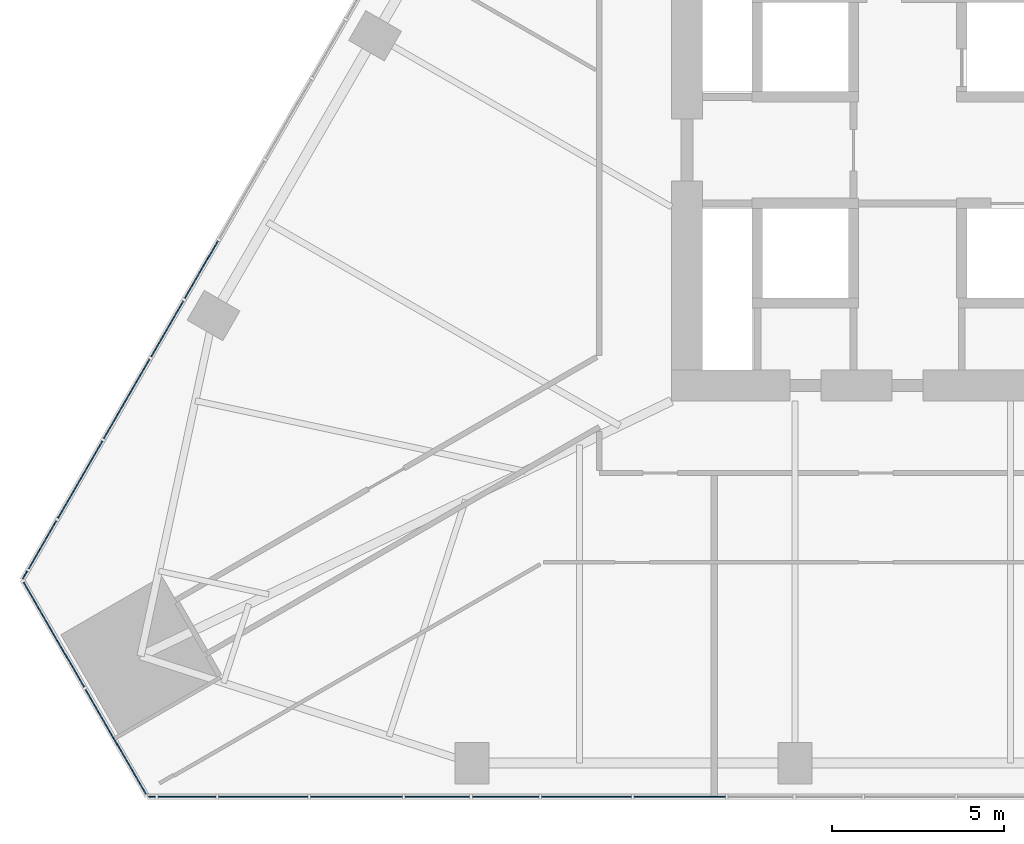
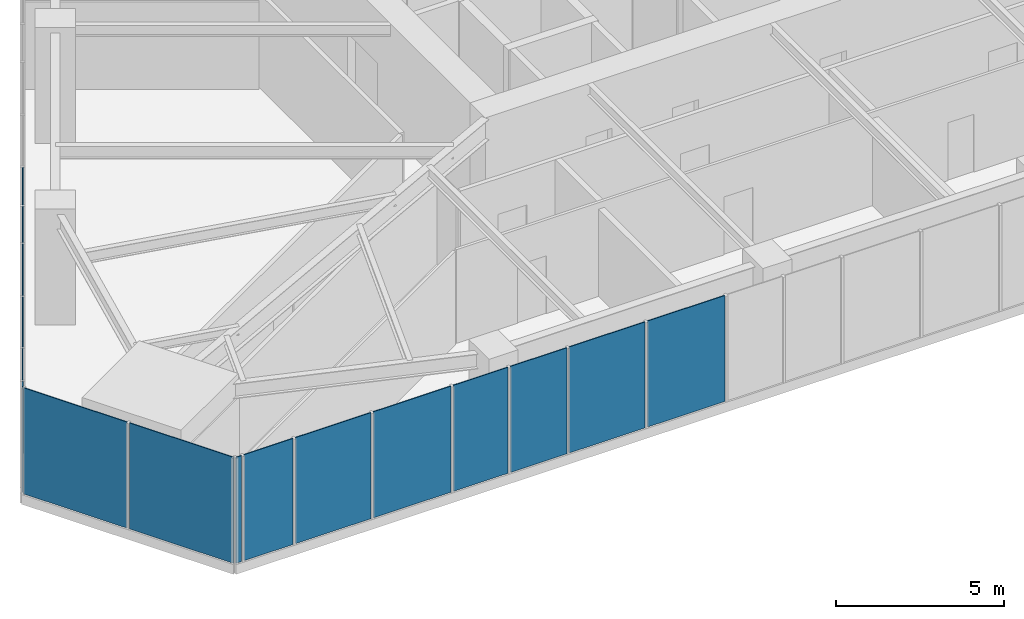
# One storey, part 11 of 21: 16 plates, 3 elements without a shape of their own.
"""IFC4 building model written with IfcOpenShell, lengths in metres."""

from ifc_helpers import new_model, si_unit, direction, frame, origin, place, context, subcontext, project, spatial, polyline, outline, extrude, material, layer, layer_set, type_object, element, aggregate, save


model = new_model("IFC4")

# Units and contexts
model_context = context("Model", 3, precision=1e-05, world=origin(), true_north=direction((0.0, 1.0)))
body_context = subcontext(model_context, "Body", "Model", "MODEL_VIEW")
ifc_project = project(units=[si_unit("LENGTHUNIT", "METRE"), si_unit("AREAUNIT", "SQUARE_METRE"), si_unit("VOLUMEUNIT", "CUBIC_METRE"), si_unit("PLANEANGLEUNIT", "RADIAN"), si_unit("MASSUNIT", "GRAM", prefix="KILO")], contexts=[model_context])

# Site, building, storey
site_placement = place(None, origin())
site = spatial("IfcSite", under=ifc_project, at=site_placement, CompositionType="ELEMENT")
building_placement = place(site_placement, origin())
building = spatial("IfcBuilding", under=site, at=building_placement, Name="Firuza Gate Tower and Library", CompositionType="ELEMENT")
storey_placement = place(building_placement, frame((0.0, 0.0, 94.60009765625)))
storey = spatial("IfcBuildingStorey", under=building, at=storey_placement, Name="L21", CompositionType="ELEMENT", Elevation=94.60009765625)

# Curtain wall, plates
ifc_material_1 = material(Name="Aluminium 6063-T6", Category="aluminium")
ifc_layer_1 = layer(ifc_material_1, 0.14990234375)
ifc_layer_set_1 = layer_set([ifc_layer_1], Name="Corner curtain wall, chamfers")
curtain_wall_type_1 = type_object("IfcCurtainWallType", Name="Corner curtain wall, chamfers", PredefinedType="NOTDEFINED", material=ifc_layer_set_1)
placement = place(storey_placement, origin())
curtain_wall_1 = element("IfcCurtainWall", 1, at=placement, inside=storey, type_object=curtain_wall_type_1, Name="CW4 L21 SW corner", PredefinedType="NOTDEFINED")
ifc_material_2 = material(Name="Fritted glass", Category="glass")
ifc_layer_2 = layer(ifc_material_2, 0.030029296875)
ifc_layer_set_2 = layer_set([ifc_layer_2], Name="Fritted glass unit, corners")
plate_type_1 = type_object("IfcPlateType", Name="Fritted glass unit, corners", PredefinedType="CURTAIN_PANEL", material=ifc_layer_set_2)
plate_1_placement = place(storey_placement, frame((43.1103515625, 60.749267578125, 0.14990234375), z_axis=(-0.866046390552, -0.49996364809, 0.0), x_axis=(0.49996364809, -0.866046390552, 0.0)))
plate_1 = element("IfcPlate", 2, at=plate_1_placement, type_object=plate_type_1, Name="Glass unit", PredefinedType="CURTAIN_PANEL", context=body_context, shape_type="SweptSolid", body=[
    extrude(outline(polyline([(0.0, 0.0), (3.563247342942594, 0.0), (3.563247342942594, 3.85009765625), (0.0, 3.85009765625), (0.0, 0.0)])), origin(), (0.0, 0.0, -1.0), 0.030029296875),
])
plate_2_placement = place(storey_placement, frame((44.931884765625, 57.593994140625, 0.14990234375), z_axis=(-0.866016723041, -0.500015035186, 0.0), x_axis=(0.500015035186, -0.866016723041, 0.0)))
plate_2 = element("IfcPlate", 3, at=plate_2_placement, type_object=plate_type_1, Name="Glass unit", PredefinedType="CURTAIN_PANEL", context=body_context, shape_type="SweptSolid", body=[
    extrude(outline(polyline([(0.0, 0.0), (3.5633694106530625, 0.0), (3.5633694106530625, 3.85009765625), (0.0, 3.85009765625), (0.0, 0.0)])), origin(), (0.0, 0.0, -1.0), 0.030029296875),
])
aggregate(curtain_wall_1, [plate_1, plate_2])

ifc_material_3 = material(Name="Aluminium 6063-T6", Category="aluminium")
ifc_layer_3 = layer(ifc_material_3, 0.14990234375)
ifc_layer_set_3 = layer_set([ifc_layer_3], Name="Unitised curtain wall, offices")
curtain_wall_type_2 = type_object("IfcCurtainWallType", Name="Unitised curtain wall, offices", PredefinedType="NOTDEFINED", material=ifc_layer_set_3)
curtain_wall_2 = element("IfcCurtainWall", 4, at=placement, inside=storey, type_object=curtain_wall_type_2, Name="CW1 L21 S face", PredefinedType="NOTDEFINED")
ifc_material_4 = material(Name="Fritted glass", Category="glass")
ifc_layer_4 = layer(ifc_material_4, 0.030029296875)
ifc_layer_set_4 = layer_set([ifc_layer_4], Name="Fritted glass unit, offices")
plate_type_2 = type_object("IfcPlateType", Name="Fritted glass unit, offices", PredefinedType="CURTAIN_PANEL", material=ifc_layer_set_4)
plate_3_placement = place(storey_placement, frame((47.052734375, 54.466064453125, 0.14990234375), z_axis=(0.0, -1.0, 0.0), x_axis=(1.0, 0.0, 0.0)))
plate_3 = element("IfcPlate", 5, at=plate_3_placement, type_object=plate_type_2, Name="Glass unit", PredefinedType="CURTAIN_PANEL", context=body_context, shape_type="SweptSolid", body=[
    extrude(outline(polyline([(0.0, 0.0), (1.685791015625, 0.0), (1.685791015625, 3.85009765625), (0.0, 3.85009765625), (0.0, 0.0)])), origin(), (0.0, 0.0, -1.0), 0.030029296875),
])
plate_4_placement = place(storey_placement, frame((54.24462890625, 54.466064453125, 0.14990234375), z_axis=(0.0, -1.0, 0.0), x_axis=(1.0, 0.0, 0.0)))
plate_4 = element("IfcPlate", 6, at=plate_4_placement, type_object=plate_type_2, Name="Glass unit", PredefinedType="CURTAIN_PANEL", context=body_context, shape_type="SweptSolid", body=[
    extrude(outline(polyline([(0.0, 0.0), (1.8798828125, 0.0), (1.8798828125, 3.85009765625), (0.0, 3.85009765625), (0.0, 0.0)])), origin(), (0.0, 0.0, -1.0), 0.030029296875),
])
plate_5_placement = place(storey_placement, frame((56.204345703125, 54.466064453125, 0.14990234375), z_axis=(0.0, -1.0, 0.0), x_axis=(1.0, 0.0, 0.0)))
plate_5 = element("IfcPlate", 7, at=plate_5_placement, type_object=plate_type_2, Name="Glass unit", PredefinedType="CURTAIN_PANEL", context=body_context, shape_type="SweptSolid", body=[
    extrude(outline(polyline([(0.0, 0.0), (1.9375, 0.0), (1.9375, 3.85009765625), (0.0, 3.85009765625), (0.0, 0.0)])), origin(), (0.0, 0.0, -1.0), 0.030029296875),
])

curtain_wall_3 = element("IfcCurtainWall", 8, at=placement, inside=storey, type_object=curtain_wall_type_2, Name="CW1 L21 W face", PredefinedType="NOTDEFINED")
plate_6_placement = place(storey_placement, frame((48.7880859375, 70.66748046875, 0.14990234375), z_axis=(-0.865977846834, 0.500082362009, 0.0), x_axis=(-0.500082362009, -0.865977846834, 0.0)))
plate_6 = element("IfcPlate", 9, at=plate_6_placement, type_object=plate_type_2, Name="Glass unit", PredefinedType="CURTAIN_PANEL", context=body_context, shape_type="SweptSolid", body=[
    extrude(outline(polyline([(0.0, 0.0), (1.937669100611521, 0.0), (1.937669100611521, 3.85009765625), (0.0, 3.85009765625), (0.0, 0.0)])), origin(), (0.0, 0.0, -1.0), 0.030029296875),
])
plate_7_placement = place(storey_placement, frame((47.779296875, 68.920166015625, 0.14990234375), z_axis=(-0.866012558475, 0.500022248069, 0.0), x_axis=(-0.500022248069, -0.866012558475, 0.0)))
plate_7 = element("IfcPlate", 10, at=plate_7_placement, type_object=plate_type_2, Name="Glass unit", PredefinedType="CURTAIN_PANEL", context=body_context, shape_type="SweptSolid", body=[
    extrude(outline(polyline([(0.0, 0.0), (1.879799168695176, 0.0), (1.879799168695176, 3.85009765625), (0.0, 3.85009765625), (0.0, 0.0)])), origin(), (0.0, 0.0, -1.0), 0.030029296875),
])
plate_8_placement = place(storey_placement, frame((44.086181640625, 62.52392578125, 0.14990234375), z_axis=(-0.866037581745, 0.49997890656, 0.0), x_axis=(-0.49997890656, -0.866037581745, 0.0)))
plate_8 = element("IfcPlate", 11, at=plate_8_placement, type_object=plate_type_2, Name="Glass unit", PredefinedType="CURTAIN_PANEL", context=body_context, shape_type="SweptSolid", body=[
    extrude(outline(polyline([(0.0, 0.0), (1.620673839923284, 0.0), (1.620673839923284, 3.85009765625), (0.0, 3.85009765625), (0.0, 0.0)])), origin(), (0.0, 0.0, -1.0), 0.030029296875),
])

# Plate
ifc_material_5 = material(Name="Glazed ceramic tile")
ifc_layer_5 = layer(ifc_material_5, 0.030029296875)
ifc_layer_set_5 = layer_set([ifc_layer_5], Name="Opaque ceramic panel, offices")
plate_type_3 = type_object("IfcPlateType", Name="Opaque ceramic panel, offices", PredefinedType="CURTAIN_PANEL", material=ifc_layer_set_5)
plate_9_placement = place(storey_placement, frame((46.78662109375, 54.466064453125, 0.14990234375), z_axis=(0.0, -1.0, 0.0), x_axis=(1.0, 0.0, 0.0)))
plate_9 = element("IfcPlate", 12, at=plate_9_placement, type_object=plate_type_3, Name="Opaque ceramic panel", PredefinedType="CURTAIN_PANEL", context=body_context, shape_type="SweptSolid", body=[
    extrude(outline(polyline([(0.0, 0.0), (0.18603515625, 0.0), (0.18603515625, 3.85009765625), (0.0, 3.85009765625), (0.0, 0.0)])), origin(), (0.0, 0.0, -1.0), 0.030029296875),
])

plate_10_placement = place(storey_placement, frame((48.818603515625, 54.466064453125, 0.14990234375), z_axis=(0.0, -1.0, 0.0), x_axis=(1.0, 0.0, 0.0)))
plate_10 = element("IfcPlate", 13, at=plate_10_placement, type_object=plate_type_3, Name="Opaque ceramic panel", PredefinedType="CURTAIN_PANEL", context=body_context, shape_type="SweptSolid", body=[
    extrude(outline(polyline([(0.0, 0.0), (2.596923828125, 0.0), (2.596923828125, 3.85009765625), (0.0, 3.85009765625), (0.0, 0.0)])), origin(), (0.0, 0.0, -1.0), 0.030029296875),
])

plate_11_placement = place(storey_placement, frame((51.49560546875, 54.466064453125, 0.14990234375), z_axis=(0.0, -1.0, 0.0), x_axis=(1.0, 0.0, 0.0)))
plate_11 = element("IfcPlate", 14, at=plate_11_placement, type_object=plate_type_3, Name="Opaque ceramic panel", PredefinedType="CURTAIN_PANEL", context=body_context, shape_type="SweptSolid", body=[
    extrude(outline(polyline([(0.0, 0.0), (2.6689453125, 0.0), (2.6689453125, 3.85009765625), (0.0, 3.85009765625), (0.0, 0.0)])), origin(), (0.0, 0.0, -1.0), 0.030029296875),
])

plate_12_placement = place(storey_placement, frame((58.221923828125, 54.466064453125, 0.14990234375), z_axis=(0.0, -1.0, 0.0), x_axis=(1.0, 0.0, 0.0)))
plate_12 = element("IfcPlate", 15, at=plate_12_placement, type_object=plate_type_3, Name="Opaque ceramic panel", PredefinedType="CURTAIN_PANEL", context=body_context, shape_type="SweptSolid", body=[
    extrude(outline(polyline([(0.0, 0.0), (2.611328125, 0.0), (2.611328125, 3.85009765625), (0.0, 3.85009765625), (0.0, 0.0)])), origin(), (0.0, 0.0, -1.0), 0.030029296875),
])

plate_13_placement = place(storey_placement, frame((60.913330078125, 54.466064453125, 0.14990234375), z_axis=(0.0, -1.0, 0.0), x_axis=(1.0, 0.0, 0.0)))
plate_13 = element("IfcPlate", 16, at=plate_13_placement, type_object=plate_type_3, Name="Opaque ceramic panel", PredefinedType="CURTAIN_PANEL", context=body_context, shape_type="SweptSolid", body=[
    extrude(outline(polyline([(0.0, 0.0), (2.654541015625, 0.0), (2.654541015625, 3.85009765625), (0.0, 3.85009765625), (0.0, 0.0)])), origin(), (0.0, 0.0, -1.0), 0.030029296875),
])

aggregate(curtain_wall_2, [plate_9, plate_3, plate_10, plate_11, plate_4, plate_5, plate_12, plate_13])

plate_14_placement = place(storey_placement, frame((46.79931640625, 67.222900390625, 0.14990234375), z_axis=(-0.866016491138, 0.500015436839, 0.0), x_axis=(-0.500015436839, -0.866016491138, 0.0)))
plate_14 = element("IfcPlate", 17, at=plate_14_placement, type_object=plate_type_3, Name="Opaque ceramic panel", PredefinedType="CURTAIN_PANEL", context=body_context, shape_type="SweptSolid", body=[
    extrude(outline(polyline([(0.0, 0.0), (2.668862914883776, 0.0), (2.668862914883776, 3.85009765625), (0.0, 3.85009765625), (0.0, 0.0)])), origin(), (0.0, 0.0, -1.0), 0.030029296875),
])

plate_15_placement = place(storey_placement, frame((45.4248046875, 64.84228515625, 0.14990234375), z_axis=(-0.866007112766, 0.500031679635, 0.0), x_axis=(-0.500031679635, -0.866007112766, 0.0)))
plate_15 = element("IfcPlate", 18, at=plate_15_placement, type_object=plate_type_3, Name="Opaque ceramic panel", PredefinedType="CURTAIN_PANEL", context=body_context, shape_type="SweptSolid", body=[
    extrude(outline(polyline([(0.0, 0.0), (2.597003424506708, 0.0), (2.597003424506708, 3.85009765625), (0.0, 3.85009765625), (0.0, 0.0)])), origin(), (0.0, 0.0, -1.0), 0.030029296875),
])

plate_16_placement = place(storey_placement, frame((43.23583984375, 61.051025390625, 0.14990234375), z_axis=(-0.866201770413, 0.499694399542, 0.0), x_axis=(-0.499694399542, -0.866201770413, 0.0)))
plate_16 = element("IfcPlate", 19, at=plate_16_placement, type_object=plate_type_3, Name="Opaque ceramic panel", PredefinedType="CURTAIN_PANEL", context=body_context, shape_type="SweptSolid", body=[
    extrude(outline(polyline([(0.0, 0.0), (0.25113005341856437, 0.0), (0.25113005341856437, 3.85009765625), (0.0, 3.85009765625), (0.0, 0.0)])), origin(), (0.0, 0.0, -1.0), 0.030029296875),
])

aggregate(curtain_wall_3, [plate_6, plate_7, plate_14, plate_15, plate_8, plate_16])

save(model, "model.ifc")
